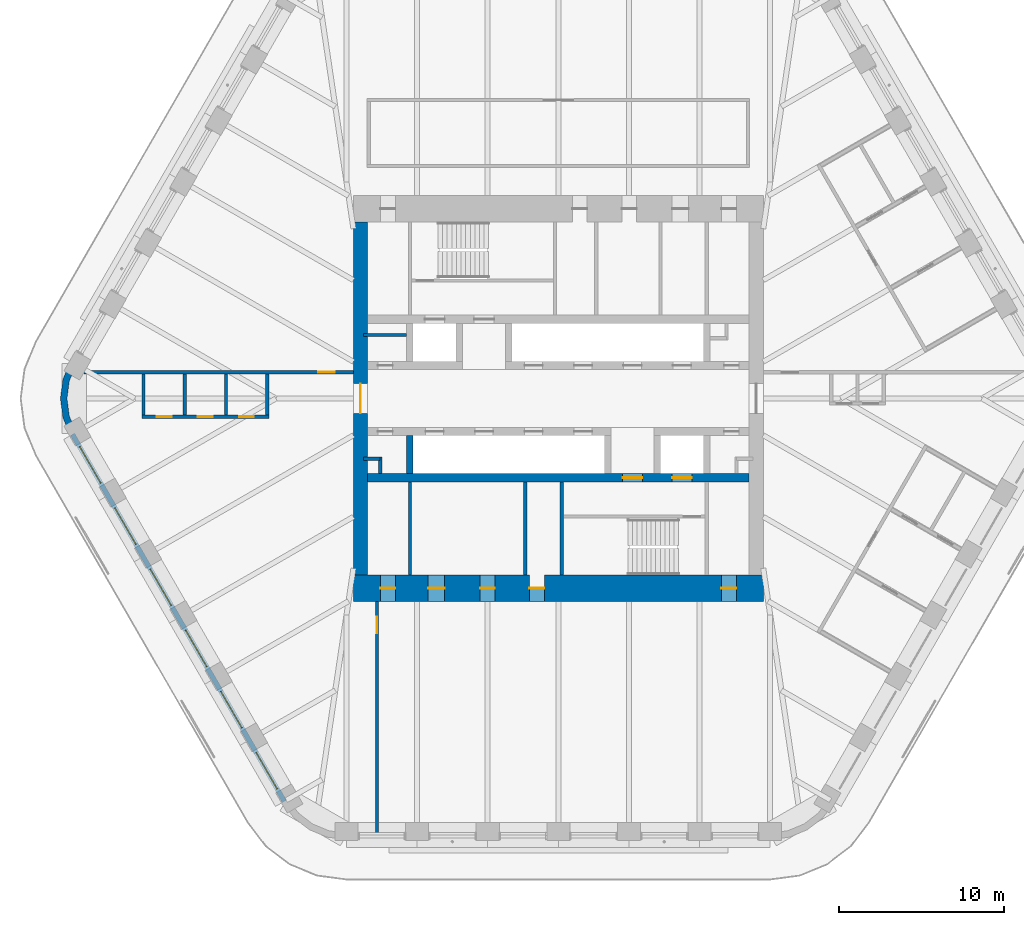
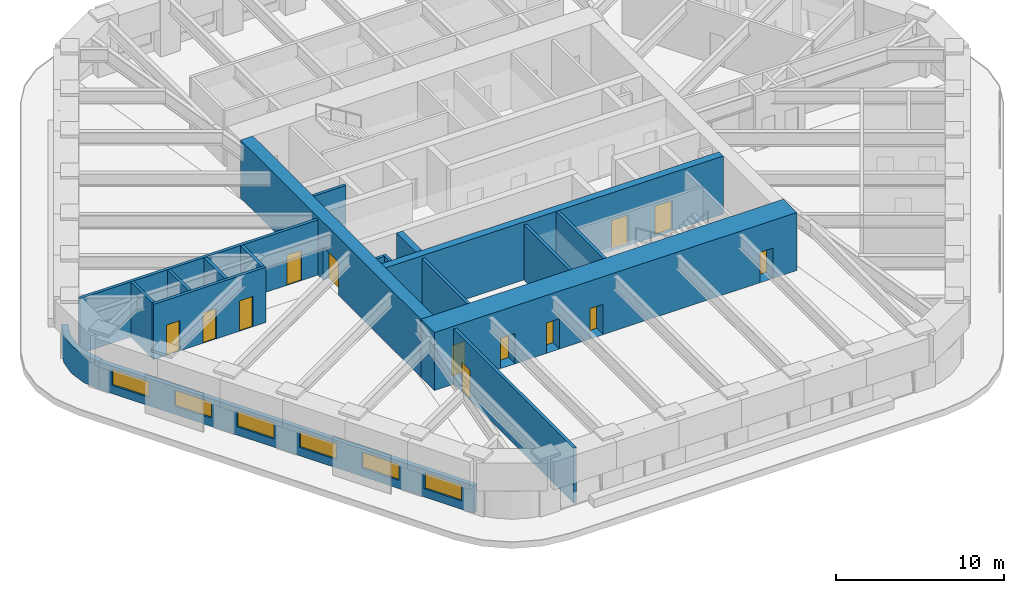
# One storey, part 13 of 18: 19 walls, 13 doors, 6 windows, 19 openings.
"""IFC4 building model written with IfcOpenShell, lengths in metres."""

from ifc_helpers import new_model, si_unit, direction, frame, frame_2d, origin, place, context, subcontext, project, spatial, polyline, rectangle, outline, extrude, material, layer, layer_set, type_object, element, fill, save


model = new_model("IFC4")

# Units and contexts
model_context = context("Model", 3, precision=1e-05, world=origin(), true_north=direction((0.0, 1.0)))
body_context = subcontext(model_context, "Body", "Model", "MODEL_VIEW")
ifc_project = project(units=[si_unit("LENGTHUNIT", "METRE"), si_unit("AREAUNIT", "SQUARE_METRE"), si_unit("VOLUMEUNIT", "CUBIC_METRE"), si_unit("PLANEANGLEUNIT", "RADIAN"), si_unit("MASSUNIT", "GRAM", prefix="KILO")], contexts=[model_context])

# Site, building, storey
site_placement = place(None, origin())
site = spatial("IfcSite", under=ifc_project, at=site_placement, CompositionType="ELEMENT")
building_placement = place(site_placement, origin())
building = spatial("IfcBuilding", under=site, at=building_placement, Name="Tarfa Lantern Tower", CompositionType="ELEMENT")
storey_placement = place(building_placement, frame((0.0, 0.0, 324.10009765625)))
storey = spatial("IfcBuildingStorey", under=building, at=storey_placement, Name="L73", CompositionType="ELEMENT", Elevation=324.10009765625)

# Wall, openings, windows
ifc_material_1 = material(Name="Limestone cladding on blockwork", Category="masonry")
ifc_layer_1 = layer(ifc_material_1, 0.300048828125)
ifc_layer_set_1 = layer_set([ifc_layer_1], Name="EW1 STONE-CLAD WALL 300")
wall_type_1 = type_object("IfcWallType", Name="EW1 STONE-CLAD WALL 300", PredefinedType="SOLIDWALL", material=ifc_layer_set_1)
wall_1_placement = place(storey_placement, frame((-29.459228515625, -2.175048828125, 0.0), z_axis=(0.0, 0.0, 1.0), x_axis=(0.499997191038, -0.866027025533, 0.0)))
wall_1 = element("IfcWall", 1, at=wall_1_placement, inside=storey, type_object=wall_type_1, Name="Stone wall SW", PredefinedType="SOLIDWALL", context=body_context, shape_type="SweptSolid", body=[
    extrude(rectangle(XDim=25.692138671875, YDim=0.300048828125, at=frame_2d((12.84619140625, 0.0))), origin(), (0.0, 0.0, 1.0), 2.0),
])
opening_1_placement = place(wall_1_placement, frame((0.865966796875, 0.0, 0.60009765625)))
opening_1 = element("IfcOpeningElement", 2, at=opening_1_placement, cuts=wall_1, Name="Opening W16", PredefinedType="OPENING", context=body_context, shape_type="SweptSolid", body=[
    extrude(rectangle(XDim=2.550048828125, YDim=1.14990234375, at=frame_2d((1.27490234375, 0.574951171875))), frame((0.0, 0.159912109375, 0.0), z_axis=(0.0, -1.0, 0.0), x_axis=(1.0, 0.0, 0.0)), (0.0, 0.0, 1.0), 0.320068359375),
])
opening_2_placement = place(wall_1_placement, frame((5.14794921875, 0.0, 0.60009765625)))
opening_2 = element("IfcOpeningElement", 3, at=opening_2_placement, cuts=wall_1, Name="Opening W16", PredefinedType="OPENING", context=body_context, shape_type="SweptSolid", body=[
    extrude(rectangle(XDim=2.550048828125, YDim=1.14990234375, at=frame_2d((1.27490234375, 0.574951171875))), frame((0.0, 0.159912109375, 0.0), z_axis=(0.0, -1.0, 0.0), x_axis=(1.0, 0.0, 0.0)), (0.0, 0.0, 1.0), 0.320068359375),
])
opening_3_placement = place(wall_1_placement, frame((9.429931640625, 0.0, 0.60009765625)))
opening_3 = element("IfcOpeningElement", 4, at=opening_3_placement, cuts=wall_1, Name="Opening W16", PredefinedType="OPENING", context=body_context, shape_type="SweptSolid", body=[
    extrude(rectangle(XDim=2.550048828125, YDim=1.14990234375, at=frame_2d((1.27490234375, 0.574951171875))), frame((0.0, 0.159912109375, 0.0), z_axis=(0.0, -1.0, 0.0), x_axis=(1.0, 0.0, 0.0)), (0.0, 0.0, 1.0), 0.320068359375),
])
opening_4_placement = place(wall_1_placement, frame((13.712158203125, 0.0, 0.60009765625)))
opening_4 = element("IfcOpeningElement", 5, at=opening_4_placement, cuts=wall_1, Name="Opening W16", PredefinedType="OPENING", context=body_context, shape_type="SweptSolid", body=[
    extrude(rectangle(XDim=2.550048828125, YDim=1.14990234375, at=frame_2d((1.27490234375, 0.574951171875))), frame((0.0, 0.159912109375, 0.0), z_axis=(0.0, -1.0, 0.0), x_axis=(1.0, 0.0, 0.0)), (0.0, 0.0, 1.0), 0.320068359375),
])
opening_5_placement = place(wall_1_placement, frame((17.994140625, 0.0, 0.60009765625)))
opening_5 = element("IfcOpeningElement", 6, at=opening_5_placement, cuts=wall_1, Name="Opening W16", PredefinedType="OPENING", context=body_context, shape_type="SweptSolid", body=[
    extrude(rectangle(XDim=2.550048828125, YDim=1.14990234375, at=frame_2d((1.27490234375, 0.574951171875))), frame((0.0, 0.159912109375, 0.0), z_axis=(0.0, -1.0, 0.0), x_axis=(1.0, 0.0, 0.0)), (0.0, 0.0, 1.0), 0.320068359375),
])
opening_6_placement = place(wall_1_placement, frame((22.276123046875, 0.0, 0.60009765625)))
opening_6 = element("IfcOpeningElement", 7, at=opening_6_placement, cuts=wall_1, Name="Opening W16", PredefinedType="OPENING", context=body_context, shape_type="SweptSolid", body=[
    extrude(rectangle(XDim=2.550048828125, YDim=1.14990234375, at=frame_2d((1.27490234375, 0.574951171875))), frame((0.0, 0.159912109375, 0.0), z_axis=(0.0, -1.0, 0.0), x_axis=(1.0, 0.0, 0.0)), (0.0, 0.0, 1.0), 0.320068359375),
])
ifc_material_2 = material(Name="Aluminium frame, double glazed", Category="aluminium")
window_type = type_object("IfcWindowType", Name="W16 FULL-HEIGHT GLAZING 2550x1150", PartitioningType="SINGLE_PANEL", PredefinedType="WINDOW", material=ifc_material_2)
window_1_placement = place(opening_1_placement, origin())
window_1 = element("IfcWindow", 8, at=window_1_placement, inside=storey, type_object=window_type, Name="Window SW 1", OverallHeight=1.14990234375, OverallWidth=2.550048828125, PartitioningType="SINGLE_PANEL", PredefinedType="WINDOW", context=body_context, shape_type="SweptSolid", body=[
    extrude(rectangle(XDim=2.550048828125, YDim=1.14990234375, at=frame_2d((1.27490234375, 0.574951171875))), frame((0.0, 0.030029296875, 0.0), z_axis=(0.0, -1.0, 0.0), x_axis=(1.0, 0.0, 0.0)), (0.0, 0.0, 1.0), 0.06005859375),
])
fill(opening_1, window_1)
window_2_placement = place(opening_2_placement, origin())
window_2 = element("IfcWindow", 9, at=window_2_placement, inside=storey, type_object=window_type, Name="Window SW 2", OverallHeight=1.14990234375, OverallWidth=2.550048828125, PartitioningType="SINGLE_PANEL", PredefinedType="WINDOW", context=body_context, shape_type="SweptSolid", body=[
    extrude(rectangle(XDim=2.550048828125, YDim=1.14990234375, at=frame_2d((1.27490234375, 0.574951171875))), frame((0.0, 0.030029296875, 0.0), z_axis=(0.0, -1.0, 0.0), x_axis=(1.0, 0.0, 0.0)), (0.0, 0.0, 1.0), 0.06005859375),
])
fill(opening_2, window_2)
window_3_placement = place(opening_3_placement, origin())
window_3 = element("IfcWindow", 10, at=window_3_placement, inside=storey, type_object=window_type, Name="Window SW 3", OverallHeight=1.14990234375, OverallWidth=2.550048828125, PartitioningType="SINGLE_PANEL", PredefinedType="WINDOW", context=body_context, shape_type="SweptSolid", body=[
    extrude(rectangle(XDim=2.550048828125, YDim=1.14990234375, at=frame_2d((1.27490234375, 0.574951171875))), frame((0.0, 0.030029296875, 0.0), z_axis=(0.0, -1.0, 0.0), x_axis=(1.0, 0.0, 0.0)), (0.0, 0.0, 1.0), 0.06005859375),
])
fill(opening_3, window_3)
window_4_placement = place(opening_4_placement, origin())
window_4 = element("IfcWindow", 11, at=window_4_placement, inside=storey, type_object=window_type, Name="Window SW 4", OverallHeight=1.14990234375, OverallWidth=2.550048828125, PartitioningType="SINGLE_PANEL", PredefinedType="WINDOW", context=body_context, shape_type="SweptSolid", body=[
    extrude(rectangle(XDim=2.550048828125, YDim=1.14990234375, at=frame_2d((1.27490234375, 0.574951171875))), frame((0.0, 0.030029296875, 0.0), z_axis=(0.0, -1.0, 0.0), x_axis=(1.0, 0.0, 0.0)), (0.0, 0.0, 1.0), 0.06005859375),
])
fill(opening_4, window_4)
window_5_placement = place(opening_5_placement, origin())
window_5 = element("IfcWindow", 12, at=window_5_placement, inside=storey, type_object=window_type, Name="Window SW 5", OverallHeight=1.14990234375, OverallWidth=2.550048828125, PartitioningType="SINGLE_PANEL", PredefinedType="WINDOW", context=body_context, shape_type="SweptSolid", body=[
    extrude(rectangle(XDim=2.550048828125, YDim=1.14990234375, at=frame_2d((1.27490234375, 0.574951171875))), frame((0.0, 0.030029296875, 0.0), z_axis=(0.0, -1.0, 0.0), x_axis=(1.0, 0.0, 0.0)), (0.0, 0.0, 1.0), 0.06005859375),
])
fill(opening_5, window_5)
window_6_placement = place(opening_6_placement, origin())
window_6 = element("IfcWindow", 13, at=window_6_placement, inside=storey, type_object=window_type, Name="Window SW 6", OverallHeight=1.14990234375, OverallWidth=2.550048828125, PartitioningType="SINGLE_PANEL", PredefinedType="WINDOW", context=body_context, shape_type="SweptSolid", body=[
    extrude(rectangle(XDim=2.550048828125, YDim=1.14990234375, at=frame_2d((1.27490234375, 0.574951171875))), frame((0.0, 0.030029296875, 0.0), z_axis=(0.0, -1.0, 0.0), x_axis=(1.0, 0.0, 0.0)), (0.0, 0.0, 1.0), 0.06005859375),
])
fill(opening_6, window_6)

# Walls
ifc_layer_2 = layer(ifc_material_1, 0.39990234375)
ifc_layer_set_2 = layer_set([ifc_layer_2], Name="EW2 CURVED STONE CORNER 400")
wall_type_2 = type_object("IfcWallType", Name="EW2 CURVED STONE CORNER 400", PredefinedType="SOLIDWALL", material=ifc_layer_set_2)
wall_2_placement = place(storey_placement, origin())
element("IfcWall", 14, at=wall_2_placement, inside=storey, type_object=wall_type_2, Name="Stone corner NW-SW", PredefinedType="SOLIDWALL", context=body_context, shape_type="SweptSolid", body=[
    extrude(outline(polyline([(-29.589111328125, 2.25), (-30.038818359375, 1.164794921875), (-30.192138671875, 0.0), (-30.038818359375, -1.164794921875), (-29.589111328125, -2.25), (-29.24267578125, -2.050048828125), (-29.65234375, -1.061279296875), (-29.7919921875, 0.0), (-29.65234375, 1.061279296875), (-29.24267578125, 2.050048828125), (-29.589111328125, 2.25)])), origin(), (0.0, 0.0, 1.0), 2.0),
])
ifc_material_3 = material(Name="Concrete blockwork", Category="masonry")
ifc_layer_3 = layer(ifc_material_3, 0.199951171875)
ifc_layer_set_3 = layer_set([ifc_layer_3], Name="IW1 BLOCKWORK PARTITION 200 EI 120")
wall_type_3 = type_object("IfcWallType", Name="IW1 BLOCKWORK PARTITION 200 EI 120", PredefinedType="PARTITIONING", material=ifc_layer_set_3)
for number, where, z_axis, x_axis, name in (
    (15, (-9.0, -5.050048828125, 0.0), (0.0, 0.0, 1.0), (0.0, -1.0, 0.0), "Core partition"),
    (16, (-2.0, -5.050048828125, 0.0), (0.0, 0.0, 1.0), (0.0, -1.0, 0.0), "Core partition"),
):
    element("IfcWall", number, at=place(storey_placement, frame(where, z_axis=z_axis, x_axis=x_axis)), inside=storey, type_object=wall_type_3, Name=name, PredefinedType="PARTITIONING", context=body_context, shape_type="SweptSolid", body=[
        extrude(rectangle(XDim=5.64990234375, YDim=0.199951171875, at=frame_2d((2.824951171875, 0.0))), origin(), (0.0, 0.0, 1.0), 4.0),
    ])
wall_3_placement = place(storey_placement, frame((-11.800048828125, 3.85009765625, 0.0), z_axis=(0.0, 0.0, 1.0), x_axis=(1.0, 0.0, 0.0)))
element("IfcWall", 17, at=wall_3_placement, inside=storey, type_object=wall_type_3, Name="Core partition", PredefinedType="PARTITIONING", context=body_context, shape_type="SweptSolid", body=[
    extrude(rectangle(XDim=2.60009765625, YDim=0.199951171875, at=frame_2d((1.300048828125, 0.0))), origin(), (0.0, 0.0, 1.0), 4.0),
])
for number, where, z_axis, x_axis, name in (
    (18, (-10.800048828125, -3.64990234375, 0.0), (0.0, 0.0, 1.0), (-1.0, 0.0, 0.0), "Core partition"),
    (19, (-10.800048828125, -3.550048828125, 0.0), (0.0, 0.0, 1.0), (0.0, -1.0, 0.0), "Core partition"),
):
    element("IfcWall", number, at=place(storey_placement, frame(where, z_axis=z_axis, x_axis=x_axis)), inside=storey, type_object=wall_type_3, Name=name, PredefinedType="PARTITIONING", context=body_context, shape_type="SweptSolid", body=[
        extrude(rectangle(XDim=1.0, YDim=0.199951171875, at=frame_2d((0.5, 0.0))), origin(), (0.0, 0.0, 1.0), 4.0),
    ])

# Wall, opening, door
ifc_material_4 = material(Name="Gypsum board on steel studs", Category="steel")
ifc_layer_4 = layer(ifc_material_4, 0.2099609375)
ifc_layer_set_4 = layer_set([ifc_layer_4], Name="IW2 ACOUSTIC PARTITION 200")
wall_type_4 = type_object("IfcWallType", Name="IW2 ACOUSTIC PARTITION 200", PredefinedType="PARTITIONING", material=ifc_layer_set_4)
wall_4_placement = place(storey_placement, frame((-11.0, -12.300048828125, 0.0), z_axis=(0.0, 0.0, 1.0), x_axis=(0.0, -1.0, 0.0)))
wall_4 = element("IfcWall", 20, at=wall_4_placement, inside=storey, type_object=wall_type_4, Name="Partition", PredefinedType="PARTITIONING", context=body_context, shape_type="SweptSolid", body=[
    extrude(rectangle(XDim=14.25, YDim=0.199951171875, at=frame_2d((7.125, 0.0))), origin(), (0.0, 0.0, 1.0), 4.0),
])
opening_7_placement = place(wall_4_placement, frame((0.925048828125, 0.0, 0.0)))
opening_7 = element("IfcOpeningElement", 21, at=opening_7_placement, cuts=wall_4, Name="Opening D36", PredefinedType="OPENING", context=body_context, shape_type="SweptSolid", body=[
    extrude(rectangle(XDim=1.0, YDim=2.199951171875, at=frame_2d((0.5, 1.10009765625))), frame((0.0, 0.10986328125, 0.0), z_axis=(0.0, -1.0, 0.0), x_axis=(1.0, 0.0, 0.0)), (0.0, 0.0, 1.0), 0.219970703125),
])
ifc_material_5 = material(Name="Timber door", Category="wood")
door_type_1 = type_object("IfcDoorType", Name="DR1 ROOM DOOR 1000x2200", OperationType="SINGLE_SWING_LEFT", PredefinedType="DOOR", material=ifc_material_5)
door_1_placement = place(opening_7_placement, frame((1.0, 0.0, 0.0), z_axis=(0.0, 0.0, 1.0), x_axis=(-1.0, 0.0, 0.0)))
door_1 = element("IfcDoor", 22, at=door_1_placement, inside=storey, type_object=door_type_1, Name="Zone door", OperationType="SINGLE_SWING_LEFT", OverallHeight=2.199951171875, OverallWidth=1.0, PredefinedType="DOOR", context=body_context, shape_type="SweptSolid", body=[
    extrude(rectangle(XDim=1.0, YDim=2.199951171875, at=frame_2d((0.5, 1.10009765625))), frame((0.0, 0.02490234375, 0.0), z_axis=(0.0, -1.0, 0.0), x_axis=(1.0, 0.0, 0.0)), (0.0, 0.0, 1.0), 0.050048828125),
])
fill(opening_7, door_1)

wall_5_placement = place(storey_placement, frame((-12.425048828125, 1.60009765625, 0.0), z_axis=(0.0, 0.0, 1.0), x_axis=(-1.0, 0.0, 0.0)))
wall_5 = element("IfcWall", 23, at=wall_5_placement, inside=storey, type_object=wall_type_4, Name="Partition", PredefinedType="PARTITIONING", context=body_context, shape_type="SweptSolid", body=[
    extrude(rectangle(XDim=16.326904296875, YDim=0.199951171875, at=frame_2d((8.16357421875, 0.0))), origin(), (0.0, 0.0, 1.0), 4.0),
])
opening_8_placement = place(wall_5_placement, frame((1.1328125, 0.0, 0.0)))
opening_8 = element("IfcOpeningElement", 24, at=opening_8_placement, cuts=wall_5, Name="Opening D37", PredefinedType="OPENING", context=body_context, shape_type="SweptSolid", body=[
    extrude(rectangle(XDim=1.0, YDim=2.199951171875, at=frame_2d((0.5, 1.10009765625))), frame((0.0, 0.10986328125, 0.0), z_axis=(0.0, -1.0, 0.0), x_axis=(1.0, 0.0, 0.0)), (0.0, 0.0, 1.0), 0.219970703125),
])
door_2_placement = place(opening_8_placement, origin())
door_2 = element("IfcDoor", 25, at=door_2_placement, inside=storey, type_object=door_type_1, Name="Zone door", OperationType="SINGLE_SWING_RIGHT", OverallHeight=2.199951171875, OverallWidth=1.0, PredefinedType="DOOR", context=body_context, shape_type="SweptSolid", body=[
    extrude(rectangle(XDim=1.0, YDim=2.199951171875, at=frame_2d((0.5, 1.10009765625))), frame((0.0, 0.02490234375, 0.0), z_axis=(0.0, -1.0, 0.0), x_axis=(1.0, 0.0, 0.0)), (0.0, 0.0, 1.0), 0.050048828125),
])
fill(opening_8, door_2)

# Wall, openings, doors
wall_6_placement = place(storey_placement, frame((-17.554931640625, -1.10009765625, 0.0), z_axis=(0.0, 0.0, 1.0), x_axis=(-1.0, 0.0, 0.0)))
wall_6 = element("IfcWall", 26, at=wall_6_placement, inside=storey, type_object=wall_type_4, Name="Partition", PredefinedType="PARTITIONING", context=body_context, shape_type="SweptSolid", body=[
    extrude(rectangle(XDim=7.699951171875, YDim=0.199951171875, at=frame_2d((3.85009765625, 0.0))), origin(), (0.0, 0.0, 1.0), 4.0),
])
opening_9_placement = place(wall_6_placement, frame((0.89990234375, 0.0, 0.0)))
opening_9 = element("IfcOpeningElement", 27, at=opening_9_placement, cuts=wall_6, Name="Opening D30", PredefinedType="OPENING", context=body_context, shape_type="SweptSolid", body=[
    extrude(rectangle(XDim=0.89990234375, YDim=2.199951171875, at=frame_2d((0.449951171875, 1.10009765625))), frame((0.0, 0.10986328125, 0.0), z_axis=(0.0, -1.0, 0.0), x_axis=(1.0, 0.0, 0.0)), (0.0, 0.0, 1.0), 0.219970703125),
])
opening_10_placement = place(wall_6_placement, frame((3.39990234375, 0.0, 0.0)))
opening_10 = element("IfcOpeningElement", 28, at=opening_10_placement, cuts=wall_6, Name="Opening D31", PredefinedType="OPENING", context=body_context, shape_type="SweptSolid", body=[
    extrude(rectangle(XDim=0.89990234375, YDim=2.199951171875, at=frame_2d((0.449951171875, 1.10009765625))), frame((0.0, 0.10986328125, 0.0), z_axis=(0.0, -1.0, 0.0), x_axis=(1.0, 0.0, 0.0)), (0.0, 0.0, 1.0), 0.219970703125),
])
opening_11_placement = place(wall_6_placement, frame((5.89990234375, 0.0, 0.0)))
opening_11 = element("IfcOpeningElement", 29, at=opening_11_placement, cuts=wall_6, Name="Opening D32", PredefinedType="OPENING", context=body_context, shape_type="SweptSolid", body=[
    extrude(rectangle(XDim=0.89990234375, YDim=2.199951171875, at=frame_2d((0.449951171875, 1.10009765625))), frame((0.0, 0.10986328125, 0.0), z_axis=(0.0, -1.0, 0.0), x_axis=(1.0, 0.0, 0.0)), (0.0, 0.0, 1.0), 0.219970703125),
])
door_type_2 = type_object("IfcDoorType", Name="DR3 ROOM DOOR 900x2200", OperationType="SINGLE_SWING_LEFT", PredefinedType="DOOR", material=ifc_material_5)
door_3_placement = place(opening_9_placement, frame((0.89990234375, 0.0, 0.0), z_axis=(0.0, 0.0, 1.0), x_axis=(-1.0, 0.0, 0.0)))
door_3 = element("IfcDoor", 30, at=door_3_placement, inside=storey, type_object=door_type_2, Name="Focus room door", OperationType="SINGLE_SWING_LEFT", OverallHeight=2.199951171875, OverallWidth=0.89990234375, PredefinedType="DOOR", context=body_context, shape_type="SweptSolid", body=[
    extrude(rectangle(XDim=0.89990234375, YDim=2.199951171875, at=frame_2d((0.449951171875, 1.10009765625))), frame((0.0, 0.02490234375, 0.0), z_axis=(0.0, -1.0, 0.0), x_axis=(1.0, 0.0, 0.0)), (0.0, 0.0, 1.0), 0.050048828125),
])
fill(opening_9, door_3)
door_4_placement = place(opening_10_placement, frame((0.89990234375, 0.0, 0.0), z_axis=(0.0, 0.0, 1.0), x_axis=(-1.0, 0.0, 0.0)))
door_4 = element("IfcDoor", 31, at=door_4_placement, inside=storey, type_object=door_type_2, Name="Focus room door", OperationType="SINGLE_SWING_RIGHT", OverallHeight=2.199951171875, OverallWidth=0.89990234375, PredefinedType="DOOR", context=body_context, shape_type="SweptSolid", body=[
    extrude(rectangle(XDim=0.89990234375, YDim=2.199951171875, at=frame_2d((0.449951171875, 1.10009765625))), frame((0.0, 0.02490234375, 0.0), z_axis=(0.0, -1.0, 0.0), x_axis=(1.0, 0.0, 0.0)), (0.0, 0.0, 1.0), 0.050048828125),
])
fill(opening_10, door_4)
door_5_placement = place(opening_11_placement, frame((0.89990234375, 0.0, 0.0), z_axis=(0.0, 0.0, 1.0), x_axis=(-1.0, 0.0, 0.0)))
door_5 = element("IfcDoor", 32, at=door_5_placement, inside=storey, type_object=door_type_2, Name="Focus room door", OperationType="SINGLE_SWING_RIGHT", OverallHeight=2.199951171875, OverallWidth=0.89990234375, PredefinedType="DOOR", context=body_context, shape_type="SweptSolid", body=[
    extrude(rectangle(XDim=0.89990234375, YDim=2.199951171875, at=frame_2d((0.449951171875, 1.10009765625))), frame((0.0, 0.02490234375, 0.0), z_axis=(0.0, -1.0, 0.0), x_axis=(1.0, 0.0, 0.0)), (0.0, 0.0, 1.0), 0.050048828125),
])
fill(opening_11, door_5)

# Walls
for number, where, z_axis, x_axis, name in (
    (33, (-17.65478515625, 1.5, 0.0), (0.0, 0.0, 1.0), (0.0, -1.0, 0.0), "Partition"),
    (34, (-20.15478515625, 1.5, 0.0), (0.0, 0.0, 1.0), (0.0, -1.0, 0.0), "Partition"),
    (35, (-22.65478515625, 1.5, 0.0), (0.0, 0.0, 1.0), (0.0, -1.0, 0.0), "Partition"),
    (36, (-25.15478515625, 1.5, 0.0), (0.0, 0.0, 1.0), (0.0, -1.0, 0.0), "Partition"),
):
    element("IfcWall", number, at=place(storey_placement, frame(where, z_axis=z_axis, x_axis=x_axis)), inside=storey, type_object=wall_type_4, Name=name, PredefinedType="PARTITIONING", context=body_context, shape_type="SweptSolid", body=[
        extrude(rectangle(XDim=2.5, YDim=0.199951171875, at=frame_2d((1.25, 0.0))), origin(), (0.0, 0.0, 1.0), 4.0),
    ])
ifc_material_6 = material(Name="Concrete C80/95", Category="concrete")
ifc_layer_5 = layer(ifc_material_6, 0.199951171875)
ifc_layer_set_5 = layer_set([ifc_layer_5], Name="SW12 CORE WALL 200")
wall_type_5 = type_object("IfcWallType", Name="SW12 CORE WALL 200", PredefinedType="SHEAR", material=ifc_layer_set_5)
wall_7_placement = place(storey_placement, frame((0.199951171875, -5.050048828125, 0.0), z_axis=(0.0, 0.0, 1.0), x_axis=(0.0, -1.0, 0.0)))
element("IfcWall", 37, at=wall_7_placement, inside=storey, type_object=wall_type_5, Name="Core wall stair shaft S", PredefinedType="SHEAR", context=body_context, shape_type="SweptSolid", body=[
    extrude(rectangle(XDim=5.64990234375, YDim=0.199951171875, at=frame_2d((2.824951171875, 0.0))), origin(), (0.0, 0.0, 1.0), 4.199951171875),
])

# Wall, opening, door
ifc_layer_6 = layer(ifc_material_6, 0.85009765625)
ifc_layer_set_6 = layer_set([ifc_layer_6], Name="SW3 CORE WALL 850")
wall_type_6 = type_object("IfcWallType", Name="SW3 CORE WALL 850", PredefinedType="SHEAR", material=ifc_layer_set_6)
wall_8_placement = place(storey_placement, frame((-12.0, 10.699951171875, 0.0), z_axis=(0.0, 0.0, 1.0), x_axis=(0.0, -1.0, 0.0)))
wall_8 = element("IfcWall", 38, at=wall_8_placement, inside=storey, type_object=wall_type_6, Name="Core wall W", PredefinedType="SHEAR", context=body_context, shape_type="SweptSolid", body=[
    extrude(rectangle(XDim=21.39990234375, YDim=0.85009765625, at=frame_2d((10.699951171875, 0.0))), origin(), (0.0, 0.0, 1.0), 4.199951171875),
])
opening_12_placement = place(wall_8_placement, frame((9.800048828125, 0.0, 0.0)))
opening_12 = element("IfcOpeningElement", 39, at=opening_12_placement, cuts=wall_8, Name="Opening D08", PredefinedType="OPENING", context=body_context, shape_type="SweptSolid", body=[
    extrude(rectangle(XDim=1.800048828125, YDim=2.39990234375, at=frame_2d((0.89990234375, 1.199951171875))), frame((0.0, 0.43505859375, 0.0), z_axis=(0.0, -1.0, 0.0), x_axis=(1.0, 0.0, 0.0)), (0.0, 0.0, 1.0), 0.8701171875),
])
ifc_material_7 = material(Name="Steel fire door", Category="steel")
door_type_3 = type_object("IfcDoorType", Name="DL1 LOBBY DOOR 1800x2400", OperationType="DOUBLE_DOOR_SINGLE_SWING", PredefinedType="DOOR", material=ifc_material_7)
door_6_placement = place(opening_12_placement, frame((1.800048828125, 0.0, 0.0), z_axis=(0.0, 0.0, 1.0), x_axis=(-1.0, 0.0, 0.0)))
door_6 = element("IfcDoor", 40, at=door_6_placement, inside=storey, type_object=door_type_3, Name="Lift lobby door", OperationType="DOUBLE_DOOR_SINGLE_SWING", OverallHeight=2.39990234375, OverallWidth=1.800048828125, PredefinedType="DOOR", context=body_context, shape_type="SweptSolid", body=[
    extrude(rectangle(XDim=1.800048828125, YDim=2.39990234375, at=frame_2d((0.89990234375, 1.199951171875))), frame((0.0, 0.02490234375, 0.0), z_axis=(0.0, -1.0, 0.0), x_axis=(1.0, 0.0, 0.0)), (0.0, 0.0, 1.0), 0.050048828125),
])
fill(opening_12, door_6)

# Wall, openings, doors
ifc_layer_7 = layer(ifc_material_6, 0.5)
ifc_layer_set_7 = layer_set([ifc_layer_7], Name="SW5 CORE WALL 500")
wall_type_7 = type_object("IfcWallType", Name="SW5 CORE WALL 500", PredefinedType="SHEAR", material=ifc_layer_set_7)
wall_9_placement = place(storey_placement, frame((11.574951171875, -4.800048828125, 0.0), z_axis=(0.0, 0.0, 1.0), x_axis=(-1.0, 0.0, 0.0)))
wall_9 = element("IfcWall", 41, at=wall_9_placement, inside=storey, type_object=wall_type_7, Name="Core wall rear S", PredefinedType="SHEAR", context=body_context, shape_type="SweptSolid", body=[
    extrude(rectangle(XDim=23.14990234375, YDim=0.5, at=frame_2d((11.574951171875, 0.0))), origin(), (0.0, 0.0, 1.0), 4.199951171875),
])
opening_13_placement = place(wall_9_placement, frame((6.47509765625, 0.0, 0.0)))
opening_13 = element("IfcOpeningElement", 42, at=opening_13_placement, cuts=wall_9, Name="Opening D06", PredefinedType="OPENING", context=body_context, shape_type="SweptSolid", body=[
    extrude(rectangle(XDim=1.199951171875, YDim=2.199951171875, at=frame_2d((0.60009765625, 1.10009765625))), frame((0.0, 0.260009765625, 0.0), z_axis=(0.0, -1.0, 0.0), x_axis=(1.0, 0.0, 0.0)), (0.0, 0.0, 1.0), 0.52001953125),
])
opening_14_placement = place(wall_9_placement, frame((3.47509765625, 0.0, 0.0)))
opening_14 = element("IfcOpeningElement", 43, at=opening_14_placement, cuts=wall_9, Name="Opening LD02", PredefinedType="OPENING", context=body_context, shape_type="SweptSolid", body=[
    extrude(rectangle(XDim=1.199951171875, YDim=2.199951171875, at=frame_2d((0.60009765625, 1.10009765625))), frame((0.0, 0.260009765625, 0.0), z_axis=(0.0, -1.0, 0.0), x_axis=(1.0, 0.0, 0.0)), (0.0, 0.0, 1.0), 0.52001953125),
])
door_type_4 = type_object("IfcDoorType", Name="DF1 FIREFIGHTING LOBBY DOOR 1200x2200", OperationType="SINGLE_SWING_LEFT", PredefinedType="DOOR", material=ifc_material_7)
door_7_placement = place(opening_13_placement, origin())
door_7 = element("IfcDoor", 44, at=door_7_placement, inside=storey, type_object=door_type_4, Name="Firefighting lobby door", OperationType="SINGLE_SWING_LEFT", OverallHeight=2.199951171875, OverallWidth=1.199951171875, PredefinedType="DOOR", context=body_context, shape_type="SweptSolid", body=[
    extrude(rectangle(XDim=1.199951171875, YDim=2.199951171875, at=frame_2d((0.60009765625, 1.10009765625))), frame((0.0, 0.02490234375, 0.0), z_axis=(0.0, -1.0, 0.0), x_axis=(1.0, 0.0, 0.0)), (0.0, 0.0, 1.0), 0.050048828125),
])
fill(opening_13, door_7)
ifc_material_8 = material(Name="Stainless steel lift door", Category="steel")
door_type_5 = type_object("IfcDoorType", Name="LD1 LIFT LANDING DOOR 1200x2200", OperationType="SLIDING_TO_LEFT", PredefinedType="DOOR", material=ifc_material_8)
door_8_placement = place(opening_14_placement, origin())
door_8 = element("IfcDoor", 45, at=door_8_placement, inside=storey, type_object=door_type_5, Name="Landing door FL2", OperationType="SLIDING_TO_LEFT", OverallHeight=2.199951171875, OverallWidth=1.199951171875, PredefinedType="DOOR", context=body_context, shape_type="SweptSolid", body=[
    extrude(rectangle(XDim=1.199951171875, YDim=2.199951171875, at=frame_2d((0.60009765625, 1.10009765625))), frame((0.0, 0.02490234375, 0.0), z_axis=(0.0, -1.0, 0.0), x_axis=(1.0, 0.0, 0.0)), (0.0, 0.0, 1.0), 0.050048828125),
])
fill(opening_14, door_8)

# Wall
ifc_layer_8 = layer(ifc_material_6, 0.39990234375)
ifc_layer_set_8 = layer_set([ifc_layer_8], Name="SW6 CORE WALL 400")
wall_type_8 = type_object("IfcWallType", Name="SW6 CORE WALL 400", PredefinedType="SHEAR", material=ifc_layer_set_8)
wall_10_placement = place(storey_placement, frame((-9.0, -2.25, 0.0), z_axis=(0.0, 0.0, 1.0), x_axis=(0.0, -1.0, 0.0)))
element("IfcWall", 46, at=wall_10_placement, inside=storey, type_object=wall_type_8, Name="Core wall divider S", PredefinedType="SHEAR", context=body_context, shape_type="SweptSolid", body=[
    extrude(rectangle(XDim=2.300048828125, YDim=0.39990234375, at=frame_2d((1.14990234375, 0.0))), origin(), (0.0, 0.0, 1.0), 4.199951171875),
])

# Wall, openings, doors
ifc_layer_9 = layer(ifc_material_6, 1.60009765625)
ifc_layer_set_9 = layer_set([ifc_layer_9], Name="SW7 CORE WALL 1600")
wall_type_9 = type_object("IfcWallType", Name="SW7 CORE WALL 1600", PredefinedType="SHEAR", material=ifc_layer_set_9)
wall_11_placement = place(storey_placement, frame((12.425048828125, -11.5, 0.0), z_axis=(0.0, 0.0, 1.0), x_axis=(-1.0, 0.0, 0.0)))
wall_11 = element("IfcWall", 47, at=wall_11_placement, inside=storey, type_object=wall_type_9, Name="Core wall S", PredefinedType="SHEAR", context=body_context, shape_type="SweptSolid", body=[
    extrude(rectangle(XDim=24.85009765625, YDim=1.60009765625, at=frame_2d((12.425048828125, 0.0))), origin(), (0.0, 0.0, 1.0), 4.199951171875),
])
opening_15_placement = place(wall_11_placement, frame((13.27490234375, 0.0, 0.0)))
opening_15 = element("IfcOpeningElement", 48, at=opening_15_placement, cuts=wall_11, Name="Opening D14", PredefinedType="OPENING", context=body_context, shape_type="SweptSolid", body=[
    extrude(rectangle(XDim=0.89990234375, YDim=2.199951171875, at=frame_2d((0.449951171875, 1.10009765625))), frame((0.0, 0.81005859375, 0.0), z_axis=(0.0, -1.0, 0.0), x_axis=(1.0, 0.0, 0.0)), (0.0, 0.0, 1.0), 1.6201171875),
])
opening_16_placement = place(wall_11_placement, frame((16.27490234375, 0.0, 0.0)))
opening_16 = element("IfcOpeningElement", 49, at=opening_16_placement, cuts=wall_11, Name="Opening D16", PredefinedType="OPENING", context=body_context, shape_type="SweptSolid", body=[
    extrude(rectangle(XDim=0.89990234375, YDim=2.199951171875, at=frame_2d((0.449951171875, 1.10009765625))), frame((0.0, 0.81005859375, 0.0), z_axis=(0.0, -1.0, 0.0), x_axis=(1.0, 0.0, 0.0)), (0.0, 0.0, 1.0), 1.6201171875),
])
opening_17_placement = place(wall_11_placement, frame((19.324951171875, 0.0, 0.0)))
opening_17 = element("IfcOpeningElement", 50, at=opening_17_placement, cuts=wall_11, Name="Opening D18", PredefinedType="OPENING", context=body_context, shape_type="SweptSolid", body=[
    extrude(rectangle(XDim=1.0, YDim=2.199951171875, at=frame_2d((0.5, 1.10009765625))), frame((0.0, 0.81005859375, 0.0), z_axis=(0.0, -1.0, 0.0), x_axis=(1.0, 0.0, 0.0)), (0.0, 0.0, 1.0), 1.6201171875),
])
opening_18_placement = place(wall_11_placement, frame((1.637451171875, 0.0, 0.0)))
opening_18 = element("IfcOpeningElement", 51, at=opening_18_placement, cuts=wall_11, Name="Opening D04", PredefinedType="OPENING", context=body_context, shape_type="SweptSolid", body=[
    extrude(rectangle(XDim=0.89990234375, YDim=2.199951171875, at=frame_2d((0.449951171875, 1.10009765625))), frame((0.0, 0.81005859375, 0.0), z_axis=(0.0, -1.0, 0.0), x_axis=(1.0, 0.0, 0.0)), (0.0, 0.0, 1.0), 1.6201171875),
])
opening_19_placement = place(wall_11_placement, frame((22.3125, 0.0, 0.0)))
opening_19 = element("IfcOpeningElement", 52, at=opening_19_placement, cuts=wall_11, Name="Opening D02", PredefinedType="OPENING", context=body_context, shape_type="SweptSolid", body=[
    extrude(rectangle(XDim=0.89990234375, YDim=2.199951171875, at=frame_2d((0.449951171875, 1.10009765625))), frame((0.0, 0.81005859375, 0.0), z_axis=(0.0, -1.0, 0.0), x_axis=(1.0, 0.0, 0.0)), (0.0, 0.0, 1.0), 1.6201171875),
])
door_type_6 = type_object("IfcDoorType", Name="DF3 CORE ROOM DOOR 900x2200", OperationType="SINGLE_SWING_LEFT", PredefinedType="DOOR", material=ifc_material_7)
door_9_placement = place(opening_15_placement, frame((0.89990234375, 0.0, 0.0), z_axis=(0.0, 0.0, 1.0), x_axis=(-1.0, 0.0, 0.0)))
door_9 = element("IfcDoor", 53, at=door_9_placement, inside=storey, type_object=door_type_6, Name="Core door", OperationType="SINGLE_SWING_RIGHT", OverallHeight=2.199951171875, OverallWidth=0.89990234375, PredefinedType="DOOR", context=body_context, shape_type="SweptSolid", body=[
    extrude(rectangle(XDim=0.89990234375, YDim=2.199951171875, at=frame_2d((0.449951171875, 1.10009765625))), frame((0.0, 0.02490234375, 0.0), z_axis=(0.0, -1.0, 0.0), x_axis=(1.0, 0.0, 0.0)), (0.0, 0.0, 1.0), 0.050048828125),
])
fill(opening_15, door_9)
door_10_placement = place(opening_16_placement, frame((0.89990234375, 0.0, 0.0), z_axis=(0.0, 0.0, 1.0), x_axis=(-1.0, 0.0, 0.0)))
door_10 = element("IfcDoor", 54, at=door_10_placement, inside=storey, type_object=door_type_6, Name="Core door", OperationType="SINGLE_SWING_LEFT", OverallHeight=2.199951171875, OverallWidth=0.89990234375, PredefinedType="DOOR", context=body_context, shape_type="SweptSolid", body=[
    extrude(rectangle(XDim=0.89990234375, YDim=2.199951171875, at=frame_2d((0.449951171875, 1.10009765625))), frame((0.0, 0.02490234375, 0.0), z_axis=(0.0, -1.0, 0.0), x_axis=(1.0, 0.0, 0.0)), (0.0, 0.0, 1.0), 0.050048828125),
])
fill(opening_16, door_10)
door_type_7 = type_object("IfcDoorType", Name="DF4 CORE ROOM DOOR 1000x2200", OperationType="SINGLE_SWING_LEFT", PredefinedType="DOOR", material=ifc_material_7)
door_11_placement = place(opening_17_placement, frame((1.0, 0.0, 0.0), z_axis=(0.0, 0.0, 1.0), x_axis=(-1.0, 0.0, 0.0)))
door_11 = element("IfcDoor", 55, at=door_11_placement, inside=storey, type_object=door_type_7, Name="Core door", OperationType="SINGLE_SWING_RIGHT", OverallHeight=2.199951171875, OverallWidth=1.0, PredefinedType="DOOR", context=body_context, shape_type="SweptSolid", body=[
    extrude(rectangle(XDim=1.0, YDim=2.199951171875, at=frame_2d((0.5, 1.10009765625))), frame((0.0, 0.02490234375, 0.0), z_axis=(0.0, -1.0, 0.0), x_axis=(1.0, 0.0, 0.0)), (0.0, 0.0, 1.0), 0.050048828125),
])
fill(opening_17, door_11)
door_type_8 = type_object("IfcDoorType", Name="DF5 RISER DOOR 900x2200", OperationType="SINGLE_SWING_LEFT", PredefinedType="DOOR", material=ifc_material_7)
door_12_placement = place(opening_18_placement, frame((0.89990234375, 0.0, 0.0), z_axis=(0.0, 0.0, 1.0), x_axis=(-1.0, 0.0, 0.0)))
door_12 = element("IfcDoor", 56, at=door_12_placement, inside=storey, type_object=door_type_8, Name="Riser door", OperationType="SINGLE_SWING_LEFT", OverallHeight=2.199951171875, OverallWidth=0.89990234375, PredefinedType="DOOR", context=body_context, shape_type="SweptSolid", body=[
    extrude(rectangle(XDim=0.89990234375, YDim=2.199951171875, at=frame_2d((0.449951171875, 1.10009765625))), frame((0.0, 0.02490234375, 0.0), z_axis=(0.0, -1.0, 0.0), x_axis=(1.0, 0.0, 0.0)), (0.0, 0.0, 1.0), 0.050048828125),
])
fill(opening_18, door_12)
door_13_placement = place(opening_19_placement, frame((0.89990234375, 0.0, 0.0), z_axis=(0.0, 0.0, 1.0), x_axis=(-1.0, 0.0, 0.0)))
door_13 = element("IfcDoor", 57, at=door_13_placement, inside=storey, type_object=door_type_8, Name="Riser door", OperationType="SINGLE_SWING_RIGHT", OverallHeight=2.199951171875, OverallWidth=0.89990234375, PredefinedType="DOOR", context=body_context, shape_type="SweptSolid", body=[
    extrude(rectangle(XDim=0.89990234375, YDim=2.199951171875, at=frame_2d((0.449951171875, 1.10009765625))), frame((0.0, 0.02490234375, 0.0), z_axis=(0.0, -1.0, 0.0), x_axis=(1.0, 0.0, 0.0)), (0.0, 0.0, 1.0), 0.050048828125),
])
fill(opening_19, door_13)

save(model, "model.ifc")
